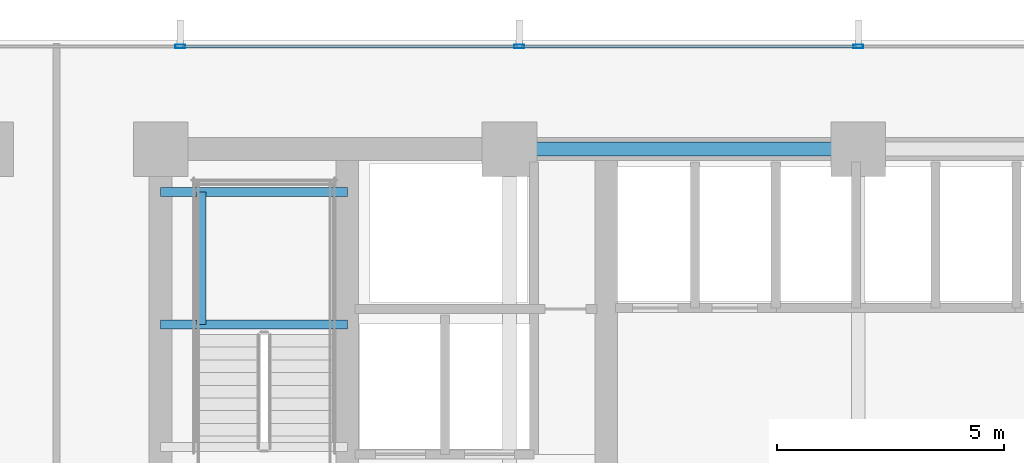
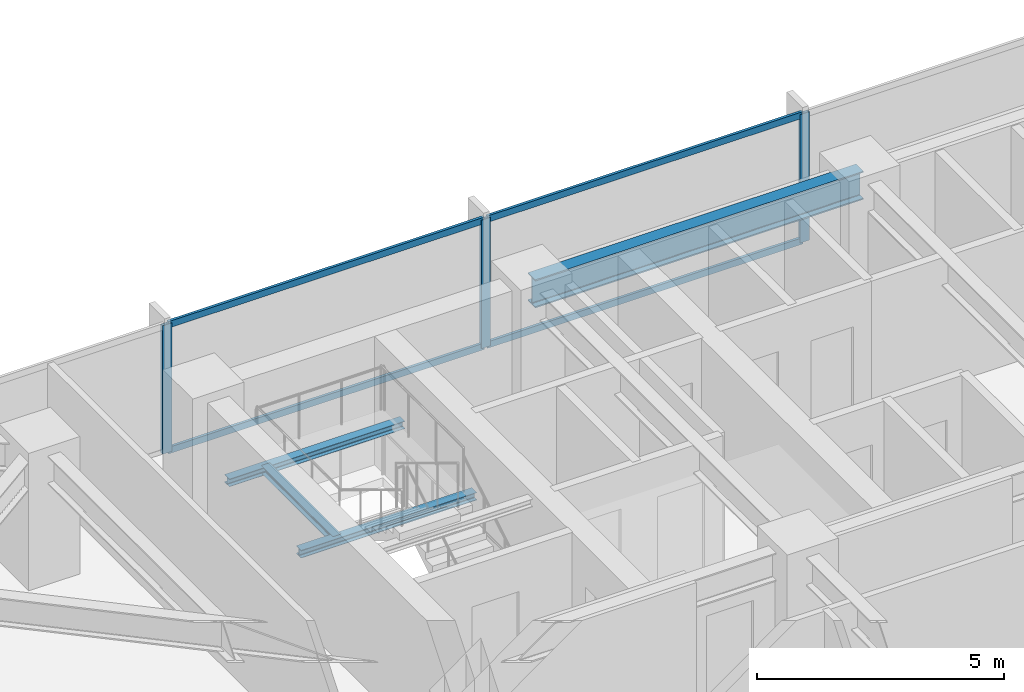
# One storey, part 18 of 33: 7 members, 4 beams, 1 element without a shape of its own.
"""IFC4 building model written with IfcOpenShell, lengths in metres."""

from ifc_helpers import new_model, si_unit, direction, frame, origin, origin_2d, place, context, subcontext, project, spatial, hollow_rectangle, i_section, extrude, material, material_profile, profile_set, type_object, element, aggregate, save


model = new_model("IFC4")

# Units and contexts
model_context = context("Model", 3, precision=1e-05, world=origin(), true_north=direction((0.0, 1.0)))
body_context = subcontext(model_context, "Body", "Model", "MODEL_VIEW")
ifc_project = project(units=[si_unit("LENGTHUNIT", "METRE"), si_unit("AREAUNIT", "SQUARE_METRE"), si_unit("VOLUMEUNIT", "CUBIC_METRE"), si_unit("PLANEANGLEUNIT", "RADIAN"), si_unit("MASSUNIT", "GRAM", prefix="KILO")], contexts=[model_context])

# Site, building, storey
site_placement = place(None, origin())
site = spatial("IfcSite", under=ifc_project, at=site_placement, CompositionType="ELEMENT")
building_placement = place(site_placement, origin())
building = spatial("IfcBuilding", under=site, at=building_placement, Name="Yelkora Congress Tower", CompositionType="ELEMENT")
storey_placement = place(building_placement, frame((0.0, 0.0, 37.199951171875)))
storey = spatial("IfcBuildingStorey", under=building, at=storey_placement, Name="L08", CompositionType="ELEMENT", Elevation=37.199951171875)

# Beams
ifc_material_1 = material(Name="Steel S355J2", Category="steel")
ifc_material_profile_1 = material_profile(ifc_material_1, i_section(OverallWidth=0.300048828125, OverallDepth=0.699951171875, WebThickness=0.01708984375, FlangeThickness=0.031982421875, FilletRadius=0.027099609375, at=origin_2d()), Name="HEB 700")
ifc_profile_set_1 = profile_set([ifc_material_profile_1], Name="Steel S355J2")
beam_type_1 = type_object("IfcBeamType", Name="BM-GIRD-HEB700", PredefinedType="BEAM", material=ifc_profile_set_1)
beam_1_placement = place(storey_placement, frame((30.719970703125, 46.199951171875, 2.830078125), z_axis=(1.0, 0.0, 0.0), x_axis=(0.0, 1.0, 0.0)))
element("IfcBeam", 1, at=beam_1_placement, inside=storey, type_object=beam_type_1, Name="L08 Core North Girder 3", PredefinedType="BEAM", context=body_context, shape_type="SweptSolid", body=[
    extrude(i_section(OverallWidth=0.300048828125, OverallDepth=0.699951171875, WebThickness=0.01708984375, FlangeThickness=0.031982421875, FilletRadius=0.027099609375, at=origin_2d()), origin(), (0.0, 0.0, 1.0), 7.679931640625),
])
ifc_material_profile_2 = material_profile(ifc_material_1, i_section(OverallWidth=0.199951171875, OverallDepth=0.18994140625, WebThickness=0.006591796875, FlangeThickness=0.010009765625, FilletRadius=0.01806640625, at=origin_2d()), Name="HEA 200")
ifc_profile_set_2 = profile_set([ifc_material_profile_2], Name="Steel S355J2")
beam_type_2 = type_object("IfcBeamType", Name="BM-LAND-HEA200", PredefinedType="BEAM", material=ifc_profile_set_2)
for number, where, z_axis, x_axis, name in (
    (2, (23.0400390625, 42.340087890625, 1.384765625), (1.0, 0.0, 0.0), (0.0, 1.0, 0.0), "ST-01 L08 Landing Header Beam 1S"),
    (3, (23.0400390625, 45.25, 1.384765625), (1.0, 0.0, 0.0), (0.0, 1.0, 0.0), "ST-01 L08 Landing Header Beam 1N"),
):
    element("IfcBeam", number, at=place(storey_placement, frame(where, z_axis=z_axis, x_axis=x_axis)), inside=storey, type_object=beam_type_2, Name=name, PredefinedType="BEAM", context=body_context, shape_type="SweptSolid", body=[
        extrude(i_section(OverallWidth=0.199951171875, OverallDepth=0.18994140625, WebThickness=0.006591796875, FlangeThickness=0.010009765625, FilletRadius=0.01806640625, at=origin_2d()), origin(), (0.0, 0.0, 1.0), 4.10986328125),
    ])
beam_2_placement = place(storey_placement, frame((23.93994140625, 42.340087890625, 1.384765625), z_axis=(0.0, 1.0, 0.0), x_axis=(-1.0, 0.0, 0.0)))
element("IfcBeam", 4, at=beam_2_placement, inside=storey, type_object=beam_type_2, Name="ST-01 L08 Landing Trimmer Beam 1M", PredefinedType="BEAM", context=body_context, shape_type="SweptSolid", body=[
    extrude(i_section(OverallWidth=0.199951171875, OverallDepth=0.18994140625, WebThickness=0.006591796875, FlangeThickness=0.010009765625, FilletRadius=0.01806640625, at=origin_2d()), origin(), (0.0, 0.0, 1.0), 2.909912109375),
])

# Curtain wall, members
ifc_material_2 = material(Name="Anodised aluminium and insulated glass", Category="aluminium")
curtain_wall_type = type_object("IfcCurtainWallType", Name="CW-SYS-B1", PredefinedType="NOTDEFINED", material=ifc_material_2)
curtain_wall_placement = place(storey_placement, origin())
curtain_wall = element("IfcCurtainWall", 5, at=curtain_wall_placement, inside=storey, type_object=curtain_wall_type, Name="L08 Unitised Curtain Wall 10", PredefinedType="NOTDEFINED")
ifc_material_3 = material(Name="Anodised aluminium 6063-T6", Category="aluminium")
ifc_material_profile_3 = material_profile(ifc_material_3, hollow_rectangle(XDim=0.074951171875, YDim=0.219970703125, WallThickness=0.0048828125, at=origin_2d()), Name="ALU 75x220x5")
ifc_profile_set_3 = profile_set([ifc_material_profile_3], Name="Anodised aluminium 6063-T6")
member_type_1 = type_object("IfcMemberType", Name="MEM-ML-B1", PredefinedType="MULLION", material=ifc_profile_set_3)
member_1_placement = place(storey_placement, frame((23.469970703125, 48.4599609375, 0.0), z_axis=(0.0, 0.0, 1.0), x_axis=(0.0, 1.0, 0.0)))
member_1 = element("IfcMember", 6, at=member_1_placement, type_object=member_type_1, Name="CW-B1 mullion 3", PredefinedType="MULLION", context=body_context, shape_type="SweptSolid", body=[
    extrude(hollow_rectangle(XDim=0.074951171875, YDim=0.219970703125, WallThickness=0.0048828125, at=origin_2d()), origin(), (0.0, 0.0, 1.0), 3.179931640625),
])
member_2_placement = place(storey_placement, frame((30.93505859375, 48.4599609375, 0.0), z_axis=(0.0, 0.0, 1.0), x_axis=(0.0, 1.0, 0.0)))
member_2 = element("IfcMember", 7, at=member_2_placement, type_object=member_type_1, Name="CW-B1 mullion 4", PredefinedType="MULLION", context=body_context, shape_type="SweptSolid", body=[
    extrude(hollow_rectangle(XDim=0.074951171875, YDim=0.219970703125, WallThickness=0.0048828125, at=origin_2d()), origin(), (0.0, 0.0, 1.0), 3.179931640625),
])
member_3_placement = place(storey_placement, frame((38.39990234375, 48.4599609375, 0.0), z_axis=(0.0, 0.0, 1.0), x_axis=(0.0, 1.0, 0.0)))
member_3 = element("IfcMember", 8, at=member_3_placement, type_object=member_type_1, Name="CW-B1 mullion 5", PredefinedType="MULLION", context=body_context, shape_type="SweptSolid", body=[
    extrude(hollow_rectangle(XDim=0.074951171875, YDim=0.219970703125, WallThickness=0.0048828125, at=origin_2d()), origin(), (0.0, 0.0, 1.0), 3.179931640625),
])
ifc_material_profile_4 = material_profile(ifc_material_3, hollow_rectangle(XDim=0.06494140625, YDim=0.159912109375, WallThickness=0.00390625, at=origin_2d()), Name="ALU 65x160x4")
ifc_profile_set_4 = profile_set([ifc_material_profile_4], Name="Anodised aluminium 6063-T6")
member_type_2 = type_object("IfcMemberType", Name="MEM-TR-B1", PredefinedType="USERDEFINED", material=ifc_profile_set_4)
member_4_placement = place(storey_placement, frame((23.507568359375, 48.4599609375, 0.032470703125), z_axis=(1.0, 0.0, 0.0), x_axis=(0.0, 1.0, 0.0)))
member_4 = element("IfcMember", 9, at=member_4_placement, type_object=member_type_2, Name="CW-B1 transom 3.1", ObjectType="TRANSOM", PredefinedType="USERDEFINED", context=body_context, shape_type="SweptSolid", body=[
    extrude(hollow_rectangle(XDim=0.06494140625, YDim=0.159912109375, WallThickness=0.00390625, at=origin_2d()), origin(), (0.0, 0.0, 1.0), 7.389892578125),
])
member_5_placement = place(storey_placement, frame((23.507568359375, 48.4599609375, 3.1474609375), z_axis=(1.0, 0.0, 0.0), x_axis=(0.0, 1.0, 0.0)))
member_5 = element("IfcMember", 10, at=member_5_placement, type_object=member_type_2, Name="CW-B1 transom 3.2", ObjectType="TRANSOM", PredefinedType="USERDEFINED", context=body_context, shape_type="SweptSolid", body=[
    extrude(hollow_rectangle(XDim=0.06494140625, YDim=0.159912109375, WallThickness=0.00390625, at=origin_2d()), origin(), (0.0, 0.0, 1.0), 7.389892578125),
])
member_6_placement = place(storey_placement, frame((30.972412109375, 48.4599609375, 0.032470703125), z_axis=(1.0, 0.0, 0.0), x_axis=(0.0, 1.0, 0.0)))
member_6 = element("IfcMember", 11, at=member_6_placement, type_object=member_type_2, Name="CW-B1 transom 4.1", ObjectType="TRANSOM", PredefinedType="USERDEFINED", context=body_context, shape_type="SweptSolid", body=[
    extrude(hollow_rectangle(XDim=0.06494140625, YDim=0.159912109375, WallThickness=0.00390625, at=origin_2d()), origin(), (0.0, 0.0, 1.0), 7.39013671875),
])
member_7_placement = place(storey_placement, frame((30.972412109375, 48.4599609375, 3.1474609375), z_axis=(1.0, 0.0, 0.0), x_axis=(0.0, 1.0, 0.0)))
member_7 = element("IfcMember", 12, at=member_7_placement, type_object=member_type_2, Name="CW-B1 transom 4.2", ObjectType="TRANSOM", PredefinedType="USERDEFINED", context=body_context, shape_type="SweptSolid", body=[
    extrude(hollow_rectangle(XDim=0.06494140625, YDim=0.159912109375, WallThickness=0.00390625, at=origin_2d()), origin(), (0.0, 0.0, 1.0), 7.39013671875),
])
aggregate(curtain_wall, [member_1, member_2, member_3, member_4, member_5, member_6, member_7])

save(model, "model.ifc")
